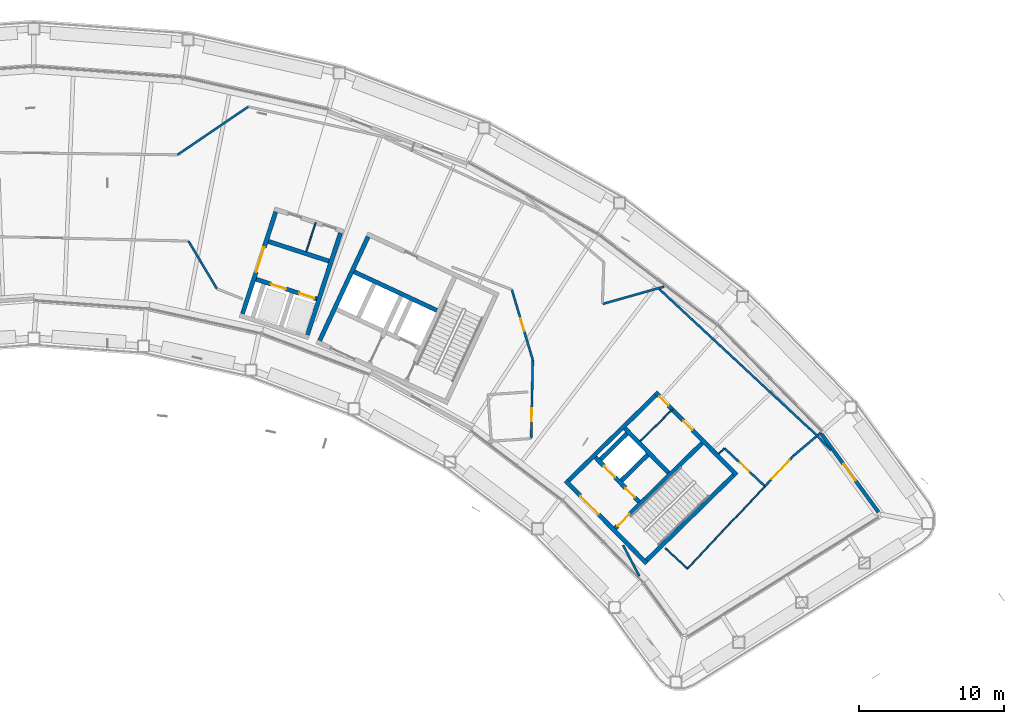
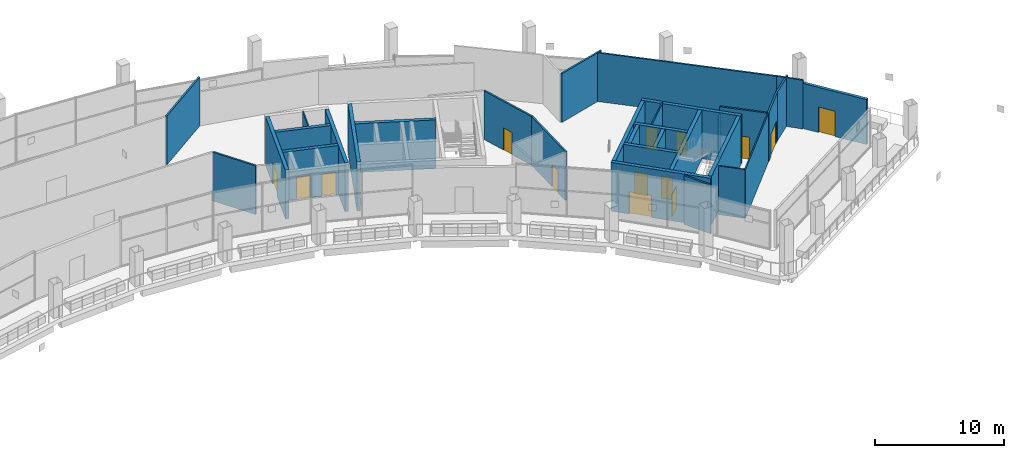
# One storey, part 18 of 29: 32 walls, 14 doors, 14 openings.
"""IFC4 building model written with IfcOpenShell, lengths in metres."""

import ifcopenshell
import ifcopenshell.guid

model = None  # the IFC model being written
_history = None  # IfcOwnerHistory: only IFC2X3 demands one
_inside = {}  # id of a spatial element -> (the spatial element, [elements in it])
_under = {}  # id of a project, library or spatial element -> (it, [spatial elements below it])
_declared = {}  # id of a project -> (the project, [libraries it declares])
_typed = {}  # id of a type object -> (the type object, [elements of that type])
_made_of = {}  # id of a material, layer set ... -> (it, [elements and type objects made of it])


def new_model(schema):
    """Start an empty IFC model of exactly this schema.

    Asked for "IFC4X3", IfcOpenShell would pick the latest addendum, in which some entities
    have other attributes; the version numbers below select the first issue.
    IFC2X3 requires an IfcOwnerHistory on every rooted entity: one is made here for all.
    """
    global model, _history
    if schema == "IFC4X3":
        model = ifcopenshell.file(schema_version=(4, 3, 0, 0))
    else:
        model = ifcopenshell.file(schema=schema)
    _inside.clear()
    _under.clear()
    _declared.clear()
    _typed.clear()
    _made_of.clear()
    _history = None
    if model.schema == "IFC2X3":
        org = make("IfcOrganization", Name="unknown")
        user = make(
            "IfcPersonAndOrganization",
            ThePerson=make("IfcPerson", FamilyName="unknown"),
            TheOrganization=org,
        )
        app = make(
            "IfcApplication",
            ApplicationDeveloper=org,
            Version="unknown",
            ApplicationFullName="unknown",
            ApplicationIdentifier="unknown",
        )
        _history = make(
            "IfcOwnerHistory",
            OwningUser=user,
            OwningApplication=app,
            ChangeAction="ADDED",
            CreationDate=0,
        )
    return model


def make(cls, **values):
    """One entity of the class cls with the attributes given. An attribute that is None is left unset."""
    return model.create_entity(
        cls, **{name: value for name, value in values.items() if value is not None}
    )


def rooted(cls, **values):
    """An entity with a GlobalId (a new one), such as an element, a storey or a relation."""
    return make(cls, GlobalId=ifcopenshell.guid.new(), OwnerHistory=_history, **values)


def si_unit(unit_type, name, prefix=None):
    """IfcSIUnit, for example si_unit("LENGTHUNIT", "METRE", prefix="MILLI")."""
    return make("IfcSIUnit", UnitType=unit_type, Prefix=prefix, Name=name)


def assignment(units):
    """IfcUnitAssignment: the units of a project."""
    return None if units is None else make("IfcUnitAssignment", Units=units)


def point(xyz):
    """IfcCartesianPoint."""
    return None if xyz is None else make("IfcCartesianPoint", Coordinates=xyz)


def direction(xyz):
    """IfcDirection."""
    return None if xyz is None else make("IfcDirection", DirectionRatios=xyz)


def frame(location, z_axis=None, x_axis=None):
    """IfcAxis2Placement3D, a coordinate frame: its origin and axes. An axis left out is left unset."""
    return make(
        "IfcAxis2Placement3D",
        Location=point(location),
        Axis=direction(z_axis),
        RefDirection=direction(x_axis),
    )


def frame_2d(location, x_axis=None):
    """IfcAxis2Placement2D, a coordinate frame in the plane: its origin and x axis."""
    return make(
        "IfcAxis2Placement2D", Location=point(location), RefDirection=direction(x_axis)
    )


def origin():
    """The frame at (0, 0, 0) with its axes left unset."""
    return frame((0.0, 0.0, 0.0))


def place(relative_to, where):
    """IfcLocalPlacement: puts the frame where relative to a parent placement (None: the world)."""
    return make(
        "IfcLocalPlacement", PlacementRelTo=relative_to, RelativePlacement=where
    )


def context(
    kind, dimensions, precision=None, world=None, true_north=None, identifier=None
):
    """IfcGeometricRepresentationContext, for example the 3D "Model" context."""
    return make(
        "IfcGeometricRepresentationContext",
        ContextIdentifier=identifier,
        ContextType=kind,
        CoordinateSpaceDimension=dimensions,
        Precision=precision,
        WorldCoordinateSystem=world,
        TrueNorth=true_north,
    )


def subcontext(parent, identifier, kind, view, scale=None):
    """IfcGeometricRepresentationSubContext, for example "Body" below "Model"."""
    return make(
        "IfcGeometricRepresentationSubContext",
        ContextIdentifier=identifier,
        ContextType=kind,
        ParentContext=parent,
        TargetScale=scale,
        TargetView=view,
    )


def project(units=None, contexts=None):
    """IfcProject with its units and contexts."""
    return rooted(
        "IfcProject",
        Name="project",
        RepresentationContexts=contexts,
        UnitsInContext=assignment(units),
    )


def spatial(cls, under=None, at=None, **own):
    """A site, building, storey or space (cls), placed at a placement, below another one or the project."""
    s = rooted(cls, ObjectPlacement=at, **own)
    if under is not None:
        _under.setdefault(under.id(), (under, []))[1].append(s)
    return s


def profile(cls, at=None, kind="AREA", **sizes):
    """A parametric profile (cls). Its sizes go by their IFC names, for example OverallWidth=200.0."""
    return make(cls, ProfileType=kind, Position=at, **sizes)


def rectangle(**sizes):
    """IfcRectangleProfileDef."""
    return profile("IfcRectangleProfileDef", **sizes)


def extrude(swept, where, along, depth):
    """IfcExtrudedAreaSolid: the profile swept, set in the frame where, extruded along a direction by depth."""
    return make(
        "IfcExtrudedAreaSolid",
        SweptArea=swept,
        Position=where,
        ExtrudedDirection=direction(along),
        Depth=depth,
    )


def shape(context_of_items, identifier, shape_type, items):
    """IfcShapeRepresentation: the items that make up one representation, for example the "Body"."""
    return make(
        "IfcShapeRepresentation",
        ContextOfItems=context_of_items,
        RepresentationIdentifier=identifier,
        RepresentationType=shape_type,
        Items=items,
    )


def material(Name=None, Category=None):
    """IfcMaterial."""
    return make("IfcMaterial", Name=Name, Category=Category)


def layer(
    of_material, thickness, ventilated=None, Name=None, Category=None, Priority=None
):
    """IfcMaterialLayer: one layer of a wall or slab, of a material (None: an air gap)."""
    return make(
        "IfcMaterialLayer",
        Material=of_material,
        LayerThickness=thickness,
        IsVentilated=ventilated,
        Name=Name,
        Category=Category,
        Priority=Priority,
    )


def layer_set(layers, Name=None):
    """IfcMaterialLayerSet."""
    return make("IfcMaterialLayerSet", MaterialLayers=layers, LayerSetName=Name)


def made_of(thing, what):
    """Note that an element or type object is made of a material, layer set ...; save() writes the relation."""
    if what is not None:
        _made_of.setdefault(what.id(), (what, []))[1].append(thing)
    return thing


def type_object(cls, material=None, **own):
    """A type object (cls), such as IfcWallType, which elements share."""
    return made_of(rooted(cls, **own), material)


def element(
    cls,
    number,
    at=None,
    inside=None,
    cuts=None,
    type_object=None,
    material=None,
    context=None,
    identifier="Body",
    shape_type=None,
    held_by="IfcProductDefinitionShape",
    body=None,
    shapes=None,
    **own,
):
    """One element of the class cls, such as IfcWall. Its Tag is "e" and its number.

    at: its placement. inside: the storey or other place that contains it. cuts: it is an
    opening in that element (IfcRelVoidsElement). A single representation is given by context,
    identifier, shape_type and body (its items); several are given by shapes. held_by: the class
    of the entity that holds the representations. save() writes the other relations.
    """
    e = rooted(cls, Tag="e%d" % number, ObjectPlacement=at, **own)
    if body is not None:
        shapes = [shape(context, identifier, shape_type, body)]
    if shapes is not None:
        e.Representation = make(held_by, Representations=shapes)
    if inside is not None:
        _inside.setdefault(inside.id(), (inside, []))[1].append(e)
    if cuts is not None:
        rooted(
            "IfcRelVoidsElement", RelatingBuildingElement=cuts, RelatedOpeningElement=e
        )
    if type_object is not None:
        _typed.setdefault(type_object.id(), (type_object, []))[1].append(e)
    return made_of(e, material)


def fill(opening, filler):
    """IfcRelFillsElement: the door or window that sits in an opening."""
    return rooted(
        "IfcRelFillsElement",
        RelatingOpeningElement=opening,
        RelatedBuildingElement=filler,
    )


def aggregate(whole, parts):
    """IfcRelAggregates: a whole, such as a stair, and the parts it consists of."""
    return rooted("IfcRelAggregates", RelatingObject=whole, RelatedObjects=parts)


def save(model, path):
    """Write the relations noted so far, then the file.

    IfcRelAggregates (storeys below a building ...), IfcRelContainedInSpatialStructure (elements
    in a storey), IfcRelDefinesByType, IfcRelAssociatesMaterial and IfcRelDeclares: one each for
    every whole, place, type object, material and project.
    """
    for whole, parts in _under.values():
        aggregate(whole, parts)
    for where, things in _inside.values():
        rooted(
            "IfcRelContainedInSpatialStructure",
            RelatedElements=things,
            RelatingStructure=where,
        )
    for kind, things in _typed.values():
        rooted("IfcRelDefinesByType", RelatedObjects=things, RelatingType=kind)
    for what, things in _made_of.values():
        rooted("IfcRelAssociatesMaterial", RelatedObjects=things, RelatingMaterial=what)
    for by, libraries in _declared.values():
        rooted("IfcRelDeclares", RelatingContext=by, RelatedDefinitions=libraries)
    model.write(path)


model = new_model("IFC4")

# Units and contexts
model_context = context("Model", 3, precision=1e-05, world=origin(), true_north=direction((0.0, 1.0)))
body_context = subcontext(model_context, "Body", "Model", "MODEL_VIEW")
ifc_project = project(units=[si_unit("LENGTHUNIT", "METRE"), si_unit("AREAUNIT", "SQUARE_METRE"), si_unit("VOLUMEUNIT", "CUBIC_METRE"), si_unit("PLANEANGLEUNIT", "RADIAN"), si_unit("MASSUNIT", "GRAM", prefix="KILO")], contexts=[model_context])

# Site, building, storey
site_placement = place(None, origin())
site = spatial("IfcSite", under=ifc_project, at=site_placement, CompositionType="ELEMENT")
building_placement = place(site_placement, origin())
building = spatial("IfcBuilding", under=site, at=building_placement, Name="Tuul Gate Civic Tower", CompositionType="ELEMENT")
storey_placement = place(building_placement, frame((0.0, 0.0, 238.89990234375)))
storey = spatial("IfcBuildingStorey", under=building, at=storey_placement, Name="Sky garden level 2", CompositionType="ELEMENT", Elevation=238.89990234375)

# Wall, opening, door
ifc_material_1 = material(Name="Concrete C50/60", Category="concrete")
ifc_layer_1 = layer(ifc_material_1, 0.300048828125)
ifc_layer_set_1 = layer_set([ifc_layer_1], Name="Concrete C50/60")
wall_type_1 = type_object("IfcWallType", Name="Core wall C50/60", PredefinedType="SHEAR", material=ifc_layer_set_1)
wall_1_placement = place(storey_placement, frame((48.22509765625, -18.327880859375, 0.0), z_axis=(0.0, 0.0, 1.0), x_axis=(-0.700021979774, 0.714121297703, 0.0)))
wall_1 = element("IfcWall", 1, at=wall_1_placement, inside=storey, type_object=wall_type_1, Name="Core wall", PredefinedType="SHEAR", context=body_context, shape_type="SweptSolid", body=[
    extrude(rectangle(XDim=8.0, YDim=0.300048828125, at=frame_2d((4.0, 0.0))), origin(), (0.0, 0.0, 1.0), 4.60009765625),
])
opening_1_placement = place(wall_1_placement, frame((4.72509765625, 0.0, 0.0)))
opening_1 = element("IfcOpeningElement", 2, at=opening_1_placement, cuts=wall_1, Name="Opening LB-E1-LOBBY-1", PredefinedType="OPENING", context=body_context, shape_type="SweptSolid", body=[
    extrude(rectangle(XDim=1.800048828125, YDim=2.10009765625, at=frame_2d((0.89990234375, 1.050048828125))), frame((0.0, 0.16015625, 0.0), z_axis=(0.0, -1.0, 0.0), x_axis=(1.0, 0.0, 0.0)), (0.0, 0.0, 1.0), 0.320068359375),
])
ifc_material_2 = material(Name="Steel", Category="steel")
door_type_1 = type_object("IfcDoorType", Name="Lobby door", OperationType="DOUBLE_DOOR_SINGLE_SWING", PredefinedType="DOOR", material=ifc_material_2)
door_1_placement = place(opening_1_placement, origin())
door_1 = element("IfcDoor", 3, at=door_1_placement, inside=storey, type_object=door_type_1, Name="Lobby door E1-LOBBY", OperationType="DOUBLE_DOOR_SINGLE_SWING", OverallHeight=2.10009765625, OverallWidth=1.800048828125, PredefinedType="DOOR", context=body_context, shape_type="SweptSolid", body=[
    extrude(rectangle(XDim=1.800048828125, YDim=2.10009765625, at=frame_2d((0.89990234375, 1.050048828125))), frame((0.0, 0.02490234375, 0.0), z_axis=(0.0, -1.0, 0.0), x_axis=(1.0, 0.0, 0.0)), (0.0, 0.0, 1.0), 0.050048828125),
])
fill(opening_1, door_1)

# Wall, openings, doors
wall_2_placement = place(storey_placement, frame((47.701904296875, -14.079833984375, 0.0), z_axis=(0.0, 0.0, 1.0), x_axis=(-0.700002721075, 0.714140175657, 0.0)))
wall_2 = element("IfcWall", 4, at=wall_2_placement, inside=storey, type_object=wall_type_1, Name="Core wall", PredefinedType="SHEAR", context=body_context, shape_type="SweptSolid", body=[
    extrude(rectangle(XDim=4.300048828125, YDim=0.300048828125, at=frame_2d((2.14990234375, 0.0))), origin(), (0.0, 0.0, 1.0), 4.60009765625),
])
opening_2_placement = place(wall_2_placement, frame((0.425048828125, 0.0, 0.0)))
opening_2 = element("IfcOpeningElement", 5, at=opening_2_placement, cuts=wall_2, Name="Opening FB-E1A1", PredefinedType="OPENING", context=body_context, shape_type="SweptSolid", body=[
    extrude(rectangle(XDim=0.89990234375, YDim=2.10009765625, at=frame_2d((0.449951171875, 1.050048828125))), frame((0.0, 0.16015625, 0.0), z_axis=(0.0, -1.0, 0.0), x_axis=(1.0, 0.0, 0.0)), (0.0, 0.0, 1.0), 0.320068359375),
])
opening_3_placement = place(wall_2_placement, frame((2.375, 0.0, 0.0)))
opening_3 = element("IfcOpeningElement", 6, at=opening_3_placement, cuts=wall_2, Name="Opening LD-M3", PredefinedType="OPENING", context=body_context, shape_type="SweptSolid", body=[
    extrude(rectangle(XDim=1.10009765625, YDim=2.10009765625, at=frame_2d((0.550048828125, 1.050048828125))), frame((0.0, 0.16015625, 0.0), z_axis=(0.0, -1.0, 0.0), x_axis=(1.0, 0.0, 0.0)), (0.0, 0.0, 1.0), 0.320068359375),
])
ifc_material_3 = material(Name="Stainless steel", Category="steel")
door_type_2 = type_object("IfcDoorType", Name="Landing door", OperationType="DOUBLE_DOOR_SLIDING", PredefinedType="DOOR", material=ifc_material_3)
door_2_placement = place(opening_3_placement, origin())
door_2 = element("IfcDoor", 7, at=door_2_placement, inside=storey, type_object=door_type_2, Name="Mid-rise lift M3 landing door", OperationType="DOUBLE_DOOR_SLIDING", OverallHeight=2.10009765625, OverallWidth=1.10009765625, PredefinedType="DOOR", context=body_context, shape_type="SweptSolid", body=[
    extrude(rectangle(XDim=1.10009765625, YDim=2.10009765625, at=frame_2d((0.550048828125, 1.050048828125))), frame((0.0, 0.02490234375, 0.0), z_axis=(0.0, -1.0, 0.0), x_axis=(1.0, 0.0, 0.0)), (0.0, 0.0, 1.0), 0.050048828125),
])
fill(opening_3, door_2)
ifc_material_4 = material(Name="Steel", Category="steel")
door_type_3 = type_object("IfcDoorType", Name="Store door", OperationType="NOTDEFINED", PredefinedType="DOOR", material=ifc_material_4)
door_3_placement = place(opening_2_placement, frame((0.89990234375, 0.0, 0.0), z_axis=(0.0, 0.0, 1.0), x_axis=(-1.0, 0.0, 0.0)))
door_3 = element("IfcDoor", 8, at=door_3_placement, inside=storey, type_object=door_type_3, Name="Store door E1A1", OperationType="SINGLE_SWING_RIGHT", OverallHeight=2.10009765625, OverallWidth=0.89990234375, PredefinedType="DOOR", context=body_context, shape_type="SweptSolid", body=[
    extrude(rectangle(XDim=0.89990234375, YDim=2.10009765625, at=frame_2d((0.449951171875, 1.050048828125))), frame((0.0, 0.02490234375, 0.0), z_axis=(0.0, -1.0, 0.0), x_axis=(1.0, 0.0, 0.0)), (0.0, 0.0, 1.0), 0.050048828125),
])
fill(opening_2, door_3)

# Wall
wall_3_placement = place(storey_placement, frame((49.737060546875, -12.0849609375, 0.0), z_axis=(0.0, 0.0, 1.0), x_axis=(-0.700002721075, 0.714140175657, 0.0)))
element("IfcWall", 9, at=wall_3_placement, inside=storey, type_object=wall_type_1, Name="Core wall", PredefinedType="SHEAR", context=body_context, shape_type="SweptSolid", body=[
    extrude(rectangle(XDim=4.300048828125, YDim=0.300048828125, at=frame_2d((2.14990234375, 0.0))), origin(), (0.0, 0.0, 1.0), 4.60009765625),
])

# Wall, openings, doors
wall_4_placement = place(storey_placement, frame((54.43798828125, -12.23779296875, 0.0), z_axis=(0.0, 0.0, 1.0), x_axis=(-0.700021979774, 0.714121297703, 0.0)))
wall_4 = element("IfcWall", 10, at=wall_4_placement, inside=storey, type_object=wall_type_1, Name="Core wall", PredefinedType="SHEAR", context=body_context, shape_type="SweptSolid", body=[
    extrude(rectangle(XDim=8.0, YDim=0.300048828125, at=frame_2d((4.0, 0.0))), origin(), (0.0, 0.0, 1.0), 4.60009765625),
])
opening_4_placement = place(wall_4_placement, frame((4.34375, 0.0, 0.0)))
opening_4 = element("IfcOpeningElement", 11, at=opening_4_placement, cuts=wall_4, Name="Opening T-D11", PredefinedType="OPENING", context=body_context, shape_type="SweptSolid", body=[
    extrude(rectangle(XDim=0.89990234375, YDim=2.10009765625, at=frame_2d((0.449951171875, 1.050048828125))), frame((0.0, 0.16015625, 0.0), z_axis=(0.0, -1.0, 0.0), x_axis=(1.0, 0.0, 0.0)), (0.0, 0.0, 1.0), 0.320068359375),
])
opening_5_placement = place(wall_4_placement, frame((6.71875, 0.0, 0.0)))
opening_5 = element("IfcOpeningElement", 12, at=opening_5_placement, cuts=wall_4, Name="Opening T-D12", PredefinedType="OPENING", context=body_context, shape_type="SweptSolid", body=[
    extrude(rectangle(XDim=0.89990234375, YDim=2.10009765625, at=frame_2d((0.449951171875, 1.050048828125))), frame((0.0, 0.16015625, 0.0), z_axis=(0.0, -1.0, 0.0), x_axis=(1.0, 0.0, 0.0)), (0.0, 0.0, 1.0), 0.320068359375),
])
ifc_material_5 = material(Name="Timber door leaf", Category="wood")
door_type_4 = type_object("IfcDoorType", Name="Door D09", OperationType="NOTDEFINED", PredefinedType="DOOR", material=ifc_material_5)
door_4_placement = place(opening_4_placement, origin())
door_4 = element("IfcDoor", 13, at=door_4_placement, inside=storey, type_object=door_type_4, Name="Door T-D11", OperationType="SINGLE_SWING_LEFT", OverallHeight=2.10009765625, OverallWidth=0.89990234375, PredefinedType="DOOR", context=body_context, shape_type="SweptSolid", body=[
    extrude(rectangle(XDim=0.89990234375, YDim=2.10009765625, at=frame_2d((0.449951171875, 1.050048828125))), frame((0.0, 0.02490234375, 0.0), z_axis=(0.0, -1.0, 0.0), x_axis=(1.0, 0.0, 0.0)), (0.0, 0.0, 1.0), 0.050048828125),
])
fill(opening_4, door_4)
door_5_placement = place(opening_5_placement, origin())
door_5 = element("IfcDoor", 14, at=door_5_placement, inside=storey, type_object=door_type_4, Name="Door T-D12", OperationType="SINGLE_SWING_LEFT", OverallHeight=2.10009765625, OverallWidth=0.89990234375, PredefinedType="DOOR", context=body_context, shape_type="SweptSolid", body=[
    extrude(rectangle(XDim=0.89990234375, YDim=2.10009765625, at=frame_2d((0.449951171875, 1.050048828125))), frame((0.0, 0.02490234375, 0.0), z_axis=(0.0, -1.0, 0.0), x_axis=(1.0, 0.0, 0.0)), (0.0, 0.0, 1.0), 0.050048828125),
])
fill(opening_5, door_5)

# Wall
wall_5_placement = place(storey_placement, frame((48.227294921875, -18.115966796875, 0.0), z_axis=(0.0, 0.0, 1.0), x_axis=(0.714105315431, 0.700038283577, 0.0)))
element("IfcWall", 15, at=wall_5_placement, inside=storey, type_object=wall_type_1, Name="Core wall", PredefinedType="SHEAR", context=body_context, shape_type="SweptSolid", body=[
    extrude(rectangle(XDim=8.400146484375, YDim=0.300048828125, at=frame_2d((4.2001953125, 0.0))), origin(), (0.0, 0.0, 1.0), 4.60009765625),
])

# Wall, opening, door
wall_6_placement = place(storey_placement, frame((46.05712890625, -15.902099609375, 0.0), z_axis=(0.0, 0.0, 1.0), x_axis=(0.714134086973, 0.700008932674, 0.0)))
wall_6 = element("IfcWall", 16, at=wall_6_placement, inside=storey, type_object=wall_type_1, Name="Core wall", PredefinedType="SHEAR", context=body_context, shape_type="SweptSolid", body=[
    extrude(rectangle(XDim=8.400146484375, YDim=0.300048828125, at=frame_2d((4.2001953125, 0.0))), origin(), (0.0, 0.0, 1.0), 4.60009765625),
])
opening_6_placement = place(wall_6_placement, frame((0.199951171875, 0.0, 0.0)))
opening_6 = element("IfcOpeningElement", 17, at=opening_6_placement, cuts=wall_6, Name="Opening SD-ST-3", PredefinedType="OPENING", context=body_context, shape_type="SweptSolid", body=[
    extrude(rectangle(XDim=1.199951171875, YDim=2.10009765625, at=frame_2d((0.60009765625, 1.050048828125))), frame((0.0, 0.16015625, 0.0), z_axis=(0.0, -1.0, 0.0), x_axis=(1.0, 0.0, 0.0)), (0.0, 0.0, 1.0), 0.320068359375),
])
ifc_material_6 = material(Name="Steel", Category="steel")
door_type_5 = type_object("IfcDoorType", Name="Stair door", OperationType="NOTDEFINED", PredefinedType="DOOR", material=ifc_material_6)
door_6_placement = place(opening_6_placement, origin())
door_6 = element("IfcDoor", 18, at=door_6_placement, inside=storey, type_object=door_type_5, Name="Stair door ST-3", OperationType="SINGLE_SWING_LEFT", OverallHeight=2.10009765625, OverallWidth=1.199951171875, PredefinedType="DOOR", context=body_context, shape_type="SweptSolid", body=[
    extrude(rectangle(XDim=1.199951171875, YDim=2.10009765625, at=frame_2d((0.60009765625, 1.050048828125))), frame((0.0, 0.02490234375, 0.0), z_axis=(0.0, -1.0, 0.0), x_axis=(1.0, 0.0, 0.0)), (0.0, 0.0, 1.0), 0.050048828125),
])
fill(opening_6, door_6)

# Walls
wall_7_placement = place(storey_placement, frame((46.47900390625, -12.617919921875, 0.0), z_axis=(0.0, 0.0, 1.0), x_axis=(0.71410944159, 0.700034074479, 0.0)))
element("IfcWall", 19, at=wall_7_placement, inside=storey, type_object=wall_type_1, Name="Core wall", PredefinedType="SHEAR", context=body_context, shape_type="SweptSolid", body=[
    extrude(rectangle(XDim=2.5498046875, YDim=0.300048828125, at=frame_2d((1.27490234375, 0.0))), origin(), (0.0, 0.0, 1.0), 4.60009765625),
])
wall_8_placement = place(storey_placement, frame((45.0439453125, -11.154052734375, 0.0), z_axis=(0.0, 0.0, 1.0), x_axis=(0.714108498262, 0.700035036773, 0.0)))
element("IfcWall", 20, at=wall_8_placement, inside=storey, type_object=wall_type_1, Name="Core wall", PredefinedType="SHEAR", context=body_context, shape_type="SweptSolid", body=[
    extrude(rectangle(XDim=2.550048828125, YDim=0.300048828125, at=frame_2d((1.27490234375, 0.0))), origin(), (0.0, 0.0, 1.0), 4.60009765625),
])
wall_9_placement = place(storey_placement, frame((42.837158203125, -12.616943359375, 0.0), z_axis=(0.0, 0.0, 1.0), x_axis=(0.714119844755, 0.700023461983, 0.0)))
element("IfcWall", 21, at=wall_9_placement, inside=storey, type_object=wall_type_1, Name="Core wall", PredefinedType="SHEAR", context=body_context, shape_type="SweptSolid", body=[
    extrude(rectangle(XDim=8.39990234375, YDim=0.300048828125, at=frame_2d((4.199951171875, 0.0))), origin(), (0.0, 0.0, 1.0), 4.60009765625),
])
wall_10_placement = place(storey_placement, frame((33.75, -0.873779296875, 0.0), z_axis=(0.0, 0.0, 1.0), x_axis=(-0.906300917592, 0.422632992999, 0.0)))
element("IfcWall", 22, at=wall_10_placement, inside=storey, type_object=wall_type_1, Name="Core wall", PredefinedType="SHEAR", context=body_context, shape_type="SweptSolid", body=[
    extrude(rectangle(XDim=6.300048828125, YDim=0.300048828125, at=frame_2d((3.14990234375, 0.0))), origin(), (0.0, 0.0, 1.0), 4.60009765625),
])
wall_11_placement = place(storey_placement, frame((25.66455078125, -2.951416015625, 0.0), z_axis=(0.0, 0.0, 1.0), x_axis=(0.422582604137, 0.906324413596, 0.0)))
element("IfcWall", 23, at=wall_11_placement, inside=storey, type_object=wall_type_1, Name="Core wall", PredefinedType="SHEAR", context=body_context, shape_type="SweptSolid", body=[
    extrude(rectangle(XDim=7.89990234375, YDim=0.300048828125, at=frame_2d((3.949951171875, 0.0))), origin(), (0.0, 0.0, 1.0), 4.60009765625),
])

# Wall, opening, door
ifc_material_7 = material(Name="Gypsum board partition")
ifc_layer_2 = layer(ifc_material_7, 0.14990234375)
ifc_layer_set_2 = layer_set([ifc_layer_2], Name="Gypsum board partition")
wall_type_2 = type_object("IfcWallType", Name="Corridor wall P150", PredefinedType="PARTITIONING", material=ifc_layer_set_2)
wall_12_placement = place(storey_placement, frame((53.593017578125, -10.379150390625, 0.0), z_axis=(0.0, 0.0, 1.0), x_axis=(0.729019987131, -0.684492409281, 0.0)))
wall_12 = element("IfcWall", 24, at=wall_12_placement, inside=storey, type_object=wall_type_2, Name="p001", PredefinedType="PARTITIONING", context=body_context, shape_type="SweptSolid", body=[
    extrude(rectangle(XDim=3.843505859375, YDim=0.14990234375, at=frame_2d((1.921875, 0.0))), origin(), (0.0, 0.0, 1.0), 4.60009765625),
])
opening_7_placement = place(wall_12_placement, frame((1.466796875, 0.0, 0.0)))
opening_7 = element("IfcOpeningElement", 25, at=opening_7_placement, cuts=wall_12, Name="Opening T-D01", PredefinedType="OPENING", context=body_context, shape_type="SweptSolid", body=[
    extrude(rectangle(XDim=0.89990234375, YDim=2.10009765625, at=frame_2d((0.449951171875, 1.050048828125))), frame((0.0, 0.0849609375, 0.0), z_axis=(0.0, -1.0, 0.0), x_axis=(1.0, 0.0, 0.0)), (0.0, 0.0, 1.0), 0.169921875),
])
door_7_placement = place(opening_7_placement, origin())
door_7 = element("IfcDoor", 26, at=door_7_placement, inside=storey, type_object=door_type_4, Name="Door T-D01", OperationType="SINGLE_SWING_RIGHT", OverallHeight=2.10009765625, OverallWidth=0.89990234375, PredefinedType="DOOR", context=body_context, shape_type="SweptSolid", body=[
    extrude(rectangle(XDim=0.89990234375, YDim=2.10009765625, at=frame_2d((0.449951171875, 1.050048828125))), frame((0.0, 0.02490234375, 0.0), z_axis=(0.0, -1.0, 0.0), x_axis=(1.0, 0.0, 0.0)), (0.0, 0.0, 1.0), 0.050048828125),
])
fill(opening_7, door_7)

wall_13_placement = place(storey_placement, frame((56.3671875, -13.025146484375, 0.0), z_axis=(0.0, 0.0, 1.0), x_axis=(0.684511154592, 0.729002386306, 0.0)))
wall_13 = element("IfcWall", 27, at=wall_13_placement, inside=storey, type_object=wall_type_2, Name="p002", PredefinedType="PARTITIONING", context=body_context, shape_type="SweptSolid", body=[
    extrude(rectangle(XDim=3.06201171875, YDim=0.14990234375, at=frame_2d((1.531005859375, 0.0))), origin(), (0.0, 0.0, 1.0), 4.60009765625),
])
opening_8_placement = place(wall_13_placement, frame((0.712158203125, 0.0, 0.0)))
opening_8 = element("IfcOpeningElement", 28, at=opening_8_placement, cuts=wall_13, Name="Opening T-D06", PredefinedType="OPENING", context=body_context, shape_type="SweptSolid", body=[
    extrude(rectangle(XDim=1.800048828125, YDim=2.10009765625, at=frame_2d((0.89990234375, 1.050048828125))), frame((0.0, 0.0849609375, 0.0), z_axis=(0.0, -1.0, 0.0), x_axis=(1.0, 0.0, 0.0)), (0.0, 0.0, 1.0), 0.169921875),
])
ifc_material_8 = material(Name="Timber door leaf, double", Category="wood")
door_type_6 = type_object("IfcDoorType", Name="Door D18", OperationType="DOUBLE_DOOR_SINGLE_SWING", PredefinedType="DOOR", material=ifc_material_8)
door_8_placement = place(opening_8_placement, frame((1.800048828125, 0.0, 0.0), z_axis=(0.0, 0.0, 1.0), x_axis=(-1.0, 0.0, 0.0)))
door_8 = element("IfcDoor", 29, at=door_8_placement, inside=storey, type_object=door_type_6, Name="Door T-D06", OperationType="DOUBLE_DOOR_SINGLE_SWING", OverallHeight=2.10009765625, OverallWidth=1.800048828125, PredefinedType="DOOR", context=body_context, shape_type="SweptSolid", body=[
    extrude(rectangle(XDim=1.800048828125, YDim=2.10009765625, at=frame_2d((0.900146484375, 1.050048828125))), frame((0.0, 0.02490234375, 0.0), z_axis=(0.0, -1.0, 0.0), x_axis=(1.0, 0.0, 0.0)), (0.0, 0.0, 1.0), 0.050048828125),
])
fill(opening_8, door_8)

# Walls
wall_14_placement = place(storey_placement, frame((59.47705078125, -9.015869140625, 0.0), z_axis=(0.0, 0.0, 1.0), x_axis=(0.700060983251, -0.714083062207, 0.0)))
element("IfcWall", 30, at=wall_14_placement, inside=storey, type_object=wall_type_2, Name="p011", PredefinedType="PARTITIONING", context=body_context, shape_type="SweptSolid", body=[
    extrude(rectangle(XDim=2.106689453125, YDim=0.14990234375, at=frame_2d((1.05322265625, 0.0))), origin(), (0.0, 0.0, 1.0), 4.60009765625),
])
wall_15_placement = place(storey_placement, frame((58.372802734375, -10.88916015625, 0.0), z_axis=(0.0, 0.0, 1.0), x_axis=(0.762789199052, 0.646647228255, 0.0)))
element("IfcWall", 31, at=wall_15_placement, inside=storey, type_object=wall_type_2, Name="p012", PredefinedType="PARTITIONING", context=body_context, shape_type="SweptSolid", body=[
    extrude(rectangle(XDim=2.436279296875, YDim=0.14990234375, at=frame_2d((1.21826171875, 0.0))), origin(), (0.0, 0.0, 1.0), 4.60009765625),
])
wall_16_placement = place(storey_placement, frame((49.034912109375, 0.65869140625, 0.0), z_axis=(0.0, 0.0, 1.0), x_axis=(0.732488505835, -0.680779398057, 0.0)))
element("IfcWall", 32, at=wall_16_placement, inside=storey, type_object=wall_type_2, Name="p013", PredefinedType="PARTITIONING", context=body_context, shape_type="SweptSolid", body=[
    extrude(rectangle(XDim=14.23046875, YDim=0.14990234375, at=frame_2d((7.115234375, 0.0))), origin(), (0.0, 0.0, 1.0), 4.60009765625),
])
wall_17_placement = place(storey_placement, frame((45.197509765625, -0.424560546875, 0.0), z_axis=(0.0, 0.0, 1.0), x_axis=(0.962361157059, 0.27177380923, 0.0)))
element("IfcWall", 33, at=wall_17_placement, inside=storey, type_object=wall_type_2, Name="p014", PredefinedType="PARTITIONING", context=body_context, shape_type="SweptSolid", body=[
    extrude(rectangle(XDim=4.39990234375, YDim=0.14990234375, at=frame_2d((2.199951171875, 0.0))), origin(), (0.0, 0.0, 1.0), 4.60009765625),
])
wall_18_placement = place(storey_placement, frame((15.861083984375, 9.8701171875, 0.0), z_axis=(0.0, 0.0, 1.0), x_axis=(0.827060497991, 0.562112918072, 0.0)))
element("IfcWall", 34, at=wall_18_placement, inside=storey, type_object=wall_type_2, Name="p019", PredefinedType="PARTITIONING", context=body_context, shape_type="SweptSolid", body=[
    extrude(rectangle(XDim=5.8955078125, YDim=0.14990234375, at=frame_2d((2.94775390625, 0.0))), origin(), (0.0, 0.0, 1.0), 4.60009765625),
])

# Wall, opening, door
wall_19_placement = place(storey_placement, frame((40.368896484375, -4.292236328125, 0.0), z_axis=(0.0, 0.0, 1.0), x_axis=(-0.020867294043, -0.999782254313, 0.0)))
wall_19 = element("IfcWall", 35, at=wall_19_placement, inside=storey, type_object=wall_type_2, Name="p038", PredefinedType="PARTITIONING", context=body_context, shape_type="SweptSolid", body=[
    extrude(rectangle(XDim=5.4169921875, YDim=0.14990234375, at=frame_2d((2.70849609375, 0.0))), origin(), (0.0, 0.0, 1.0), 4.60009765625),
])
opening_9_placement = place(wall_19_placement, frame((3.334716796875, 0.0, 0.0)))
opening_9 = element("IfcOpeningElement", 36, at=opening_9_placement, cuts=wall_19, Name="Opening T-D04", PredefinedType="OPENING", context=body_context, shape_type="SweptSolid", body=[
    extrude(rectangle(XDim=0.89990234375, YDim=2.10009765625, at=frame_2d((0.449951171875, 1.050048828125))), frame((0.0, 0.0849609375, 0.0), z_axis=(0.0, -1.0, 0.0), x_axis=(1.0, 0.0, 0.0)), (0.0, 0.0, 1.0), 0.169921875),
])
door_9_placement = place(opening_9_placement, frame((0.89990234375, 0.0, 0.0), z_axis=(0.0, 0.0, 1.0), x_axis=(-1.0, 0.0, 0.0)))
door_9 = element("IfcDoor", 37, at=door_9_placement, inside=storey, type_object=door_type_4, Name="Door T-D04", OperationType="SINGLE_SWING_LEFT", OverallHeight=2.10009765625, OverallWidth=0.89990234375, PredefinedType="DOOR", context=body_context, shape_type="SweptSolid", body=[
    extrude(rectangle(XDim=0.89990234375, YDim=2.10009765625, at=frame_2d((0.449951171875, 1.050048828125))), frame((0.0, 0.02490234375, 0.0), z_axis=(0.0, -1.0, 0.0), x_axis=(1.0, 0.0, 0.0)), (0.0, 0.0, 1.0), 0.050048828125),
])
fill(opening_9, door_9)

# Walls
wall_20_placement = place(storey_placement, frame((16.615478515625, 3.904052734375, 0.0), z_axis=(0.0, 0.0, 1.0), x_axis=(0.512294840569, -0.858809639167, 0.0)))
element("IfcWall", 38, at=wall_20_placement, inside=storey, type_object=wall_type_2, Name="p049", PredefinedType="PARTITIONING", context=body_context, shape_type="SweptSolid", body=[
    extrude(rectangle(XDim=3.820068359375, YDim=0.14990234375, at=frame_2d((1.91015625, 0.0))), origin(), (0.0, 0.0, 1.0), 4.60009765625),
])
wall_21_placement = place(storey_placement, frame((46.596923828125, -17.06689453125, 0.0), z_axis=(0.0, 0.0, 1.0), x_axis=(0.464516873807, -0.885564268672, 0.0)))
element("IfcWall", 39, at=wall_21_placement, inside=storey, type_object=wall_type_2, Name="p051", PredefinedType="PARTITIONING", context=body_context, shape_type="SweptSolid", body=[
    extrude(rectangle(XDim=2.4150390625, YDim=0.14990234375, at=frame_2d((1.20751953125, 0.0))), origin(), (0.0, 0.0, 1.0), 4.60009765625),
])

# Wall, opening, door
wall_22_placement = place(storey_placement, frame((38.92138671875, 0.56591796875, 0.0), z_axis=(0.0, 0.0, 1.0), x_axis=(0.285549058207, -0.958364093316, 0.0)))
wall_22 = element("IfcWall", 40, at=wall_22_placement, inside=storey, type_object=wall_type_2, Name="p054", PredefinedType="PARTITIONING", context=body_context, shape_type="SweptSolid", body=[
    extrude(rectangle(XDim=5.0693359375, YDim=0.14990234375, at=frame_2d((2.53466796875, 0.0))), origin(), (0.0, 0.0, 1.0), 4.60009765625),
])
opening_10_placement = place(wall_22_placement, frame((2.084716796875, 0.0, 0.0)))
opening_10 = element("IfcOpeningElement", 41, at=opening_10_placement, cuts=wall_22, Name="Opening T-D08", PredefinedType="OPENING", context=body_context, shape_type="SweptSolid", body=[
    extrude(rectangle(XDim=0.89990234375, YDim=2.10009765625, at=frame_2d((0.449951171875, 1.050048828125))), frame((0.0, 0.0849609375, 0.0), z_axis=(0.0, -1.0, 0.0), x_axis=(1.0, 0.0, 0.0)), (0.0, 0.0, 1.0), 0.169921875),
])
door_10_placement = place(opening_10_placement, frame((0.89990234375, 0.0, 0.0), z_axis=(0.0, 0.0, 1.0), x_axis=(-1.0, 0.0, 0.0)))
door_10 = element("IfcDoor", 42, at=door_10_placement, inside=storey, type_object=door_type_4, Name="Door T-D08", OperationType="SINGLE_SWING_LEFT", OverallHeight=2.10009765625, OverallWidth=0.89990234375, PredefinedType="DOOR", context=body_context, shape_type="SweptSolid", body=[
    extrude(rectangle(XDim=0.89990234375, YDim=2.10009765625, at=frame_2d((0.449951171875, 1.050048828125))), frame((0.0, 0.02490234375, 0.0), z_axis=(0.0, -1.0, 0.0), x_axis=(1.0, 0.0, 0.0)), (0.0, 0.0, 1.0), 0.050048828125),
])
fill(opening_10, door_10)

ifc_material_9 = material(Name="Precast concrete C40/50", Category="concrete")
ifc_layer_3 = layer(ifc_material_9, 0.25)
ifc_layer_set_3 = layer_set([ifc_layer_3], Name="Precast concrete C40/50")
wall_type_3 = type_object("IfcWallType", Name="External wall", PredefinedType="STANDARD", material=ifc_layer_set_3)
wall_23_placement = place(storey_placement, frame((64.215087890625, -14.776611328125, 0.0), z_axis=(0.0, 0.0, 1.0), x_axis=(-0.589819456778, 0.807535143759, 0.0)))
wall_23 = element("IfcWall", 43, at=wall_23_placement, inside=storey, type_object=wall_type_3, Name="External wall", PredefinedType="STANDARD", context=body_context, shape_type="SweptSolid", body=[
    extrude(rectangle(XDim=6.769775390625, YDim=0.25, at=frame_2d((3.384765625, 0.0))), origin(), (0.0, 0.0, 1.0), 4.25),
])
opening_11_placement = place(wall_23_placement, frame((2.68505859375, 0.0, 0.0)))
opening_11 = element("IfcOpeningElement", 44, at=opening_11_placement, cuts=wall_23, Name="Opening TD", PredefinedType="OPENING", context=body_context, shape_type="SweptSolid", body=[
    extrude(rectangle(XDim=1.39990234375, YDim=2.39990234375, at=frame_2d((0.699951171875, 1.199951171875))), frame((0.0, 0.135009765625, 0.0), z_axis=(0.0, -1.0, 0.0), x_axis=(1.0, 0.0, 0.0)), (0.0, 0.0, 1.0), 0.27001953125),
])
ifc_material_10 = material(Name="Glazed aluminium", Category="aluminium")
door_type_7 = type_object("IfcDoorType", Name="Terrace door", OperationType="DOUBLE_DOOR_SINGLE_SWING", PredefinedType="DOOR", material=ifc_material_10)
door_11_placement = place(opening_11_placement, frame((1.39990234375, 0.0, 0.0), z_axis=(0.0, 0.0, 1.0), x_axis=(-1.0, 0.0, 0.0)))
door_11 = element("IfcDoor", 45, at=door_11_placement, inside=storey, type_object=door_type_7, Name="Terrace door", OperationType="DOUBLE_DOOR_SINGLE_SWING", OverallHeight=2.39990234375, OverallWidth=1.39990234375, PredefinedType="DOOR", context=body_context, shape_type="SweptSolid", body=[
    extrude(rectangle(XDim=1.39990234375, YDim=2.39990234375, at=frame_2d((0.699951171875, 1.199951171875))), frame((0.0, 0.02490234375, 0.0), z_axis=(0.0, -1.0, 0.0), x_axis=(1.0, 0.0, 0.0)), (0.0, 0.0, 1.0), 0.050048828125),
])
fill(opening_11, door_11)

# Wall, openings, doors
ifc_material_11 = material(Name="Concrete C40/50", Category="concrete")
ifc_layer_4 = layer(ifc_material_11, 0.300048828125)
ifc_layer_set_4 = layer_set([ifc_layer_4], Name="Concrete C40/50")
wall_type_4 = type_object("IfcWallType", Name="Lift shaft wall C40/50", PredefinedType="STANDARD", material=ifc_layer_set_4)
wall_24_placement = place(storey_placement, frame((25.460693359375, -0.0859375, 0.0), z_axis=(0.0, 0.0, 1.0), x_axis=(-0.951063829732, 0.308994485023, 0.0)))
wall_24 = element("IfcWall", 46, at=wall_24_placement, inside=storey, type_object=wall_type_4, Name="Shaft wall", PredefinedType="STANDARD", context=body_context, shape_type="SweptSolid", body=[
    extrude(rectangle(XDim=4.400146484375, YDim=0.300048828125, at=frame_2d((2.2001953125, 0.0))), origin(), (0.0, 0.0, 1.0), 4.60009765625),
])
opening_12_placement = place(wall_24_placement, frame((0.175048828125, 0.0, 0.0)))
opening_12 = element("IfcOpeningElement", 47, at=opening_12_placement, cuts=wall_24, Name="Opening LD-H2", PredefinedType="OPENING", context=body_context, shape_type="SweptSolid", body=[
    extrude(rectangle(XDim=1.10009765625, YDim=2.10009765625, at=frame_2d((0.550048828125, 1.050048828125))), frame((0.0, 0.16015625, 0.0), z_axis=(0.0, -1.0, 0.0), x_axis=(1.0, 0.0, 0.0)), (0.0, 0.0, 1.0), 0.320068359375),
])
opening_13_placement = place(wall_24_placement, frame((2.22509765625, 0.0, 0.0)))
opening_13 = element("IfcOpeningElement", 48, at=opening_13_placement, cuts=wall_24, Name="Opening LD-H3", PredefinedType="OPENING", context=body_context, shape_type="SweptSolid", body=[
    extrude(rectangle(XDim=1.10009765625, YDim=2.10009765625, at=frame_2d((0.550048828125, 1.050048828125))), frame((0.0, 0.16015625, 0.0), z_axis=(0.0, -1.0, 0.0), x_axis=(1.0, 0.0, 0.0)), (0.0, 0.0, 1.0), 0.320068359375),
])
door_12_placement = place(opening_12_placement, origin())
door_12 = element("IfcDoor", 49, at=door_12_placement, inside=storey, type_object=door_type_2, Name="High-rise lift H2 landing door", OperationType="DOUBLE_DOOR_SLIDING", OverallHeight=2.10009765625, OverallWidth=1.10009765625, PredefinedType="DOOR", context=body_context, shape_type="SweptSolid", body=[
    extrude(rectangle(XDim=1.10009765625, YDim=2.10009765625, at=frame_2d((0.550048828125, 1.050048828125))), frame((0.0, 0.02490234375, 0.0), z_axis=(0.0, -1.0, 0.0), x_axis=(1.0, 0.0, 0.0)), (0.0, 0.0, 1.0), 0.050048828125),
])
fill(opening_12, door_12)
door_13_placement = place(opening_13_placement, origin())
door_13 = element("IfcDoor", 50, at=door_13_placement, inside=storey, type_object=door_type_2, Name="High-rise lift H3 landing door", OperationType="DOUBLE_DOOR_SLIDING", OverallHeight=2.10009765625, OverallWidth=1.10009765625, PredefinedType="DOOR", context=body_context, shape_type="SweptSolid", body=[
    extrude(rectangle(XDim=1.10009765625, YDim=2.10009765625, at=frame_2d((0.550048828125, 1.050048828125))), frame((0.0, 0.02490234375, 0.0), z_axis=(0.0, -1.0, 0.0), x_axis=(1.0, 0.0, 0.0)), (0.0, 0.0, 1.0), 0.050048828125),
])
fill(opening_13, door_13)

# Walls
wall_25_placement = place(storey_placement, frame((26.310546875, 2.529541015625, 0.0), z_axis=(0.0, 0.0, 1.0), x_axis=(-0.951058531764, 0.30901079133, 0.0)))
element("IfcWall", 51, at=wall_25_placement, inside=storey, type_object=wall_type_4, Name="Shaft wall", PredefinedType="STANDARD", context=body_context, shape_type="SweptSolid", body=[
    extrude(rectangle(XDim=4.39990234375, YDim=0.300048828125, at=frame_2d((2.199951171875, 0.0))), origin(), (0.0, 0.0, 1.0), 4.60009765625),
])
wall_26_placement = place(storey_placement, frame((24.815185546875, -2.557373046875, 0.0), z_axis=(0.0, 0.0, 1.0), x_axis=(0.30907264409, 0.951038432807, 0.0)))
element("IfcWall", 52, at=wall_26_placement, inside=storey, type_object=wall_type_4, Name="Shaft wall", PredefinedType="STANDARD", context=body_context, shape_type="SweptSolid", body=[
    extrude(rectangle(XDim=7.39990234375, YDim=0.300048828125, at=frame_2d((3.699951171875, 0.0))), origin(), (0.0, 0.0, 1.0), 4.60009765625),
])

# Wall, opening, door
wall_27_placement = place(storey_placement, frame((20.34521484375, -1.10498046875, 0.0), z_axis=(0.0, 0.0, 1.0), x_axis=(0.30907264409, 0.951038432807, 0.0)))
wall_27 = element("IfcWall", 53, at=wall_27_placement, inside=storey, type_object=wall_type_4, Name="Shaft wall", PredefinedType="STANDARD", context=body_context, shape_type="SweptSolid", body=[
    extrude(rectangle(XDim=7.39990234375, YDim=0.300048828125, at=frame_2d((3.699951171875, 0.0))), origin(), (0.0, 0.0, 1.0), 4.60009765625),
])
opening_14_placement = place(wall_27_placement, frame((3.02490234375, 0.0, 0.0)))
opening_14 = element("IfcOpeningElement", 54, at=opening_14_placement, cuts=wall_27, Name="Opening LB-E4-LOBBY-1", PredefinedType="OPENING", context=body_context, shape_type="SweptSolid", body=[
    extrude(rectangle(XDim=1.800048828125, YDim=2.10009765625, at=frame_2d((0.89990234375, 1.050048828125))), frame((0.0, 0.16015625, 0.0), z_axis=(0.0, -1.0, 0.0), x_axis=(1.0, 0.0, 0.0)), (0.0, 0.0, 1.0), 0.320068359375),
])
door_14_placement = place(opening_14_placement, frame((1.800048828125, 0.0, 0.0), z_axis=(0.0, 0.0, 1.0), x_axis=(-1.0, 0.0, 0.0)))
door_14 = element("IfcDoor", 55, at=door_14_placement, inside=storey, type_object=door_type_1, Name="Lobby door E4-LOBBY", OperationType="DOUBLE_DOOR_SINGLE_SWING", OverallHeight=2.10009765625, OverallWidth=1.800048828125, PredefinedType="DOOR", context=body_context, shape_type="SweptSolid", body=[
    extrude(rectangle(XDim=1.800048828125, YDim=2.10009765625, at=frame_2d((0.900146484375, 1.050048828125))), frame((0.0, 0.02490234375, 0.0), z_axis=(0.0, -1.0, 0.0), x_axis=(1.0, 0.0, 0.0)), (0.0, 0.0, 1.0), 0.050048828125),
])
fill(opening_14, door_14)

# Walls
ifc_material_12 = material(Name="Gypsum board partition")
ifc_layer_5 = layer(ifc_material_12, 0.10009765625)
ifc_layer_set_5 = layer_set([ifc_layer_5], Name="Gypsum board partition")
wall_type_5 = type_object("IfcWallType", Name="Partition P100", PredefinedType="PARTITIONING", material=ifc_layer_set_5)
wall_28_placement = place(storey_placement, frame((51.038330078125, -18.7001953125, 0.0), z_axis=(0.0, 0.0, 1.0), x_axis=(0.684510704828, 0.72900280862, 0.0)))
element("IfcWall", 56, at=wall_28_placement, inside=storey, type_object=wall_type_5, Name="p003", PredefinedType="PARTITIONING", context=body_context, shape_type="SweptSolid", body=[
    extrude(rectangle(XDim=7.824951171875, YDim=0.10009765625, at=frame_2d((3.91259765625, 0.0))), origin(), (0.0, 0.0, 1.0), 4.60009765625),
])
wall_29_placement = place(storey_placement, frame((49.51708984375, -17.271728515625, 0.0), z_axis=(0.0, 0.0, 1.0), x_axis=(0.728995955212, -0.684518003624, 0.0)))
element("IfcWall", 57, at=wall_29_placement, inside=storey, type_object=wall_type_5, Name="p005", PredefinedType="PARTITIONING", context=body_context, shape_type="SweptSolid", body=[
    extrude(rectangle(XDim=2.096923828125, YDim=0.10009765625, at=frame_2d((1.04833984375, 0.0))), origin(), (0.0, 0.0, 1.0), 4.60009765625),
])
wall_30_placement = place(storey_placement, frame((47.787841796875, -9.882080078125, 0.0), z_axis=(0.0, 0.0, 1.0), x_axis=(0.714119924869, 0.700023380256, 0.0)))
element("IfcWall", 58, at=wall_30_placement, inside=storey, type_object=wall_type_5, Name="bE1-BAND-0", PredefinedType="PARTITIONING", context=body_context, shape_type="SweptSolid", body=[
    extrude(rectangle(XDim=3.10009765625, YDim=0.10009765625, at=frame_2d((1.550048828125, 0.0))), origin(), (0.0, 0.0, 1.0), 4.60009765625),
])
wall_31_placement = place(storey_placement, frame((24.740234375, 3.197509765625, 0.0), z_axis=(0.0, 0.0, 1.0), x_axis=(0.309138649025, 0.951016979701, 0.0)))
element("IfcWall", 59, at=wall_31_placement, inside=storey, type_object=wall_type_5, Name="bE4-BAND-0", PredefinedType="PARTITIONING", context=body_context, shape_type="SweptSolid", body=[
    extrude(rectangle(XDim=2.099853515625, YDim=0.10009765625, at=frame_2d((1.0498046875, 0.0))), origin(), (0.0, 0.0, 1.0), 4.60009765625),
])
ifc_material_13 = material(Name="Gypsum board partition")
ifc_layer_6 = layer(ifc_material_13, 0.10009765625)
ifc_layer_set_6 = layer_set([ifc_layer_6], Name="Gypsum board partition")
wall_type_6 = type_object("IfcWallType", Name="Partition P100 4100 HIGH", PredefinedType="PARTITIONING", material=ifc_layer_set_6)
wall_32_placement = place(storey_placement, frame((53.593017578125, -10.379150390625, 0.0), z_axis=(0.0, 0.0, 1.0), x_axis=(-0.7142039245, -0.699937678817, 0.0)))
element("IfcWall", 60, at=wall_32_placement, inside=storey, type_object=wall_type_6, Name="p056", PredefinedType="PARTITIONING", context=body_context, shape_type="SweptSolid", body=[
    extrude(rectangle(XDim=0.547607421875, YDim=0.10009765625, at=frame_2d((0.27392578125, 0.0))), origin(), (0.0, 0.0, 1.0), 4.10009765625),
])

save(model, "model.ifc")
